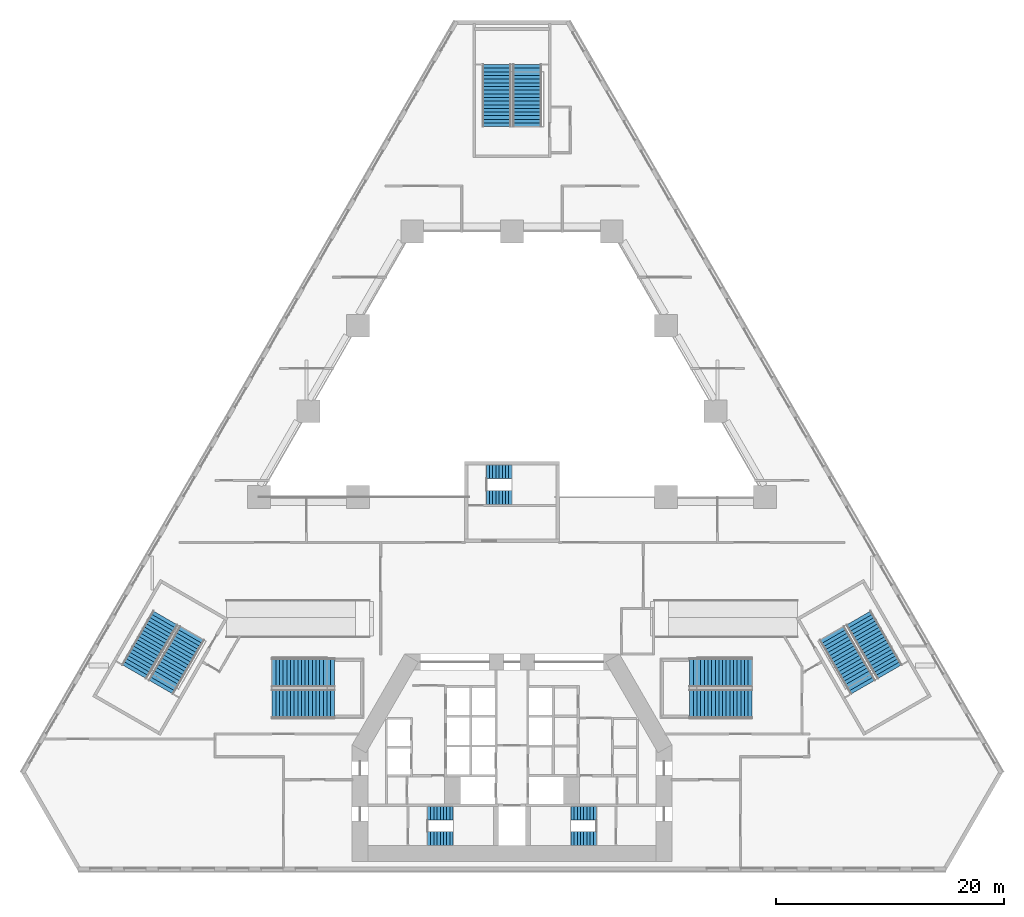
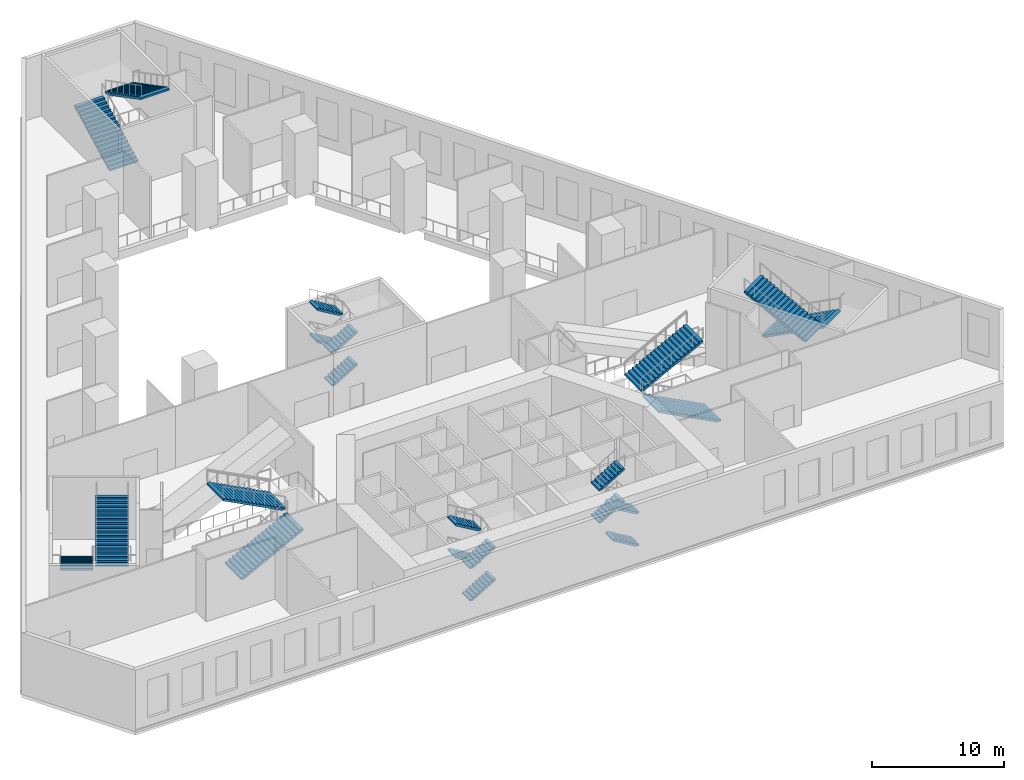
# One storey, part 9 of 16: 22 stair flights, 8 elements without a shape of their own.
"""IFC4 building model written with IfcOpenShell, lengths in metres."""

from ifc_helpers import new_model, si_unit, direction, frame, origin, place, context, subcontext, project, spatial, polyline, outline, extrude, material, type_object, element, aggregate, save


model = new_model("IFC4")

# Units and contexts
model_context = context("Model", 3, precision=1e-05, world=origin(), true_north=direction((0.0, 1.0)))
body_context = subcontext(model_context, "Body", "Model", "MODEL_VIEW")
ifc_project = project(units=[si_unit("LENGTHUNIT", "METRE"), si_unit("AREAUNIT", "SQUARE_METRE"), si_unit("VOLUMEUNIT", "CUBIC_METRE"), si_unit("PLANEANGLEUNIT", "RADIAN"), si_unit("MASSUNIT", "GRAM", prefix="KILO")], contexts=[model_context])

# Site, building, storey
site_placement = place(None, origin())
site = spatial("IfcSite", under=ifc_project, at=site_placement, CompositionType="ELEMENT")
building_placement = place(site_placement, origin())
building = spatial("IfcBuilding", under=site, at=building_placement, Name="Fogline Exchange Tower", CompositionType="ELEMENT")
storey_placement = place(building_placement, frame((0.0, 0.0, 14.0)))
storey = spatial("IfcBuildingStorey", under=building, at=storey_placement, Name="L02", CompositionType="ELEMENT", Elevation=14.0)

# Stair, stair flights
ifc_material = material(Name="Concrete C40", Category="concrete")
stair_type_1 = type_object("IfcStairType", Name="PSF0-36-1667", PredefinedType="HALF_TURN_STAIR", material=ifc_material)
stair_1_placement = place(storey_placement, origin())
stair_1 = element("IfcStair", 1, at=stair_1_placement, inside=storey, type_object=stair_type_1, Name="Stair ST4", PredefinedType="HALF_TURN_STAIR")
stair_flight_type_1 = type_object("IfcStairFlightType", Name="PSF1-18-1667", PredefinedType="STRAIGHT", material=ifc_material)
stair_flight_1_placement = place(storey_placement, frame((-30.3642578125, 22.1669921875, 0.0), z_axis=(0.0, 0.0, 1.0), x_axis=(-0.49997940255, -0.866037295401, 0.0)))
stair_flight_1 = element("IfcStairFlight", 2, at=stair_flight_1_placement, type_object=stair_flight_type_1, Name="ST4 flight 1", NumberOfRisers=18, NumberOfTreads=17, PredefinedType="STRAIGHT", RiserHeight=0.166666667, TreadLength=0.32, context=body_context, shape_type="SweptSolid", body=[
    extrude(outline(polyline([(0.0, 0.0), (0.0, 0.166748046875), (0.320068359375, 0.166748046875), (0.320068359375, 0.333251953125), (0.639892578125, 0.333251953125), (0.639892578125, 0.5), (0.9599609375, 0.5), (0.9599609375, 0.666748046875), (1.280029296875, 0.666748046875), (1.280029296875, 0.833251953125), (1.60009765625, 0.833251953125), (1.60009765625, 1.0), (1.919921875, 1.0), (1.919921875, 1.166748046875), (2.239990234375, 1.166748046875), (2.239990234375, 1.333251953125), (2.56005859375, 1.333251953125), (2.56005859375, 1.5), (2.8798828125, 1.5), (2.8798828125, 1.666748046875), (3.199951171875, 1.666748046875), (3.199951171875, 1.833251953125), (3.52001953125, 1.833251953125), (3.52001953125, 2.0), (3.840087890625, 2.0), (3.840087890625, 2.166748046875), (4.159912109375, 2.166748046875), (4.159912109375, 2.333251953125), (4.47998046875, 2.333251953125), (4.47998046875, 2.5), (4.800048828125, 2.5), (4.800048828125, 2.666748046875), (5.1201171875, 2.666748046875), (5.1201171875, 2.833251953125), (5.43994140625, 2.833251953125), (5.43994140625, 3.0), (5.43994140625, 2.664306640625), (0.324462890625, 0.0), (0.0, 0.0)])), frame((0.0, 1.25, 0.0), z_axis=(0.0, -1.0, 0.0), x_axis=(1.0, 0.0, 0.0)), (0.0, 0.0, 1.0), 2.5),
])
stair_flight_2_placement = place(storey_placement, frame((-30.745849609375, 16.105712890625, 3.0), z_axis=(0.0, 0.0, 1.0), x_axis=(0.49997940255, 0.866037295401, 0.0)))
stair_flight_2 = element("IfcStairFlight", 3, at=stair_flight_2_placement, type_object=stair_flight_type_1, Name="ST4 flight 2", NumberOfRisers=18, NumberOfTreads=17, PredefinedType="STRAIGHT", RiserHeight=0.166666667, TreadLength=0.32, context=body_context, shape_type="SweptSolid", body=[
    extrude(outline(polyline([(0.0, 0.0), (0.0, 0.166748046875), (0.320068359375, 0.166748046875), (0.320068359375, 0.333251953125), (0.639892578125, 0.333251953125), (0.639892578125, 0.5), (0.9599609375, 0.5), (0.9599609375, 0.666748046875), (1.280029296875, 0.666748046875), (1.280029296875, 0.833251953125), (1.60009765625, 0.833251953125), (1.60009765625, 1.0), (1.919921875, 1.0), (1.919921875, 1.166748046875), (2.239990234375, 1.166748046875), (2.239990234375, 1.333251953125), (2.56005859375, 1.333251953125), (2.56005859375, 1.5), (2.8798828125, 1.5), (2.8798828125, 1.666748046875), (3.199951171875, 1.666748046875), (3.199951171875, 1.833251953125), (3.52001953125, 1.833251953125), (3.52001953125, 2.0), (3.840087890625, 2.0), (3.840087890625, 2.166748046875), (4.159912109375, 2.166748046875), (4.159912109375, 2.333251953125), (4.47998046875, 2.333251953125), (4.47998046875, 2.5), (4.800048828125, 2.5), (4.800048828125, 2.666748046875), (5.1201171875, 2.666748046875), (5.1201171875, 2.833251953125), (5.43994140625, 2.833251953125), (5.43994140625, 3.0), (5.43994140625, 2.664306640625), (0.324462890625, 0.0), (0.0, 0.0)])), frame((0.0, 1.25, 0.0), z_axis=(0.0, -1.0, 0.0), x_axis=(1.0, 0.0, 0.0)), (0.0, 0.0, 1.0), 2.5),
])
aggregate(stair_1, [stair_flight_1, stair_flight_2])

stair_2_placement = place(storey_placement, origin())
stair_2 = element("IfcStair", 4, at=stair_2_placement, inside=storey, type_object=stair_type_1, Name="Stair ST5", PredefinedType="HALF_TURN_STAIR")
stair_flight_3_placement = place(storey_placement, frame((30.3642578125, 22.1669921875, 0.0), z_axis=(0.0, 0.0, 1.0), x_axis=(0.49997940255, -0.866037295401, 0.0)))
stair_flight_3 = element("IfcStairFlight", 5, at=stair_flight_3_placement, type_object=stair_flight_type_1, Name="ST5 flight 1", NumberOfRisers=18, NumberOfTreads=17, PredefinedType="STRAIGHT", RiserHeight=0.166666667, TreadLength=0.32, context=body_context, shape_type="SweptSolid", body=[
    extrude(outline(polyline([(0.0, 0.0), (0.0, 0.166748046875), (0.320068359375, 0.166748046875), (0.320068359375, 0.333251953125), (0.639892578125, 0.333251953125), (0.639892578125, 0.5), (0.9599609375, 0.5), (0.9599609375, 0.666748046875), (1.280029296875, 0.666748046875), (1.280029296875, 0.833251953125), (1.60009765625, 0.833251953125), (1.60009765625, 1.0), (1.919921875, 1.0), (1.919921875, 1.166748046875), (2.239990234375, 1.166748046875), (2.239990234375, 1.333251953125), (2.56005859375, 1.333251953125), (2.56005859375, 1.5), (2.8798828125, 1.5), (2.8798828125, 1.666748046875), (3.199951171875, 1.666748046875), (3.199951171875, 1.833251953125), (3.52001953125, 1.833251953125), (3.52001953125, 2.0), (3.840087890625, 2.0), (3.840087890625, 2.166748046875), (4.159912109375, 2.166748046875), (4.159912109375, 2.333251953125), (4.47998046875, 2.333251953125), (4.47998046875, 2.5), (4.800048828125, 2.5), (4.800048828125, 2.666748046875), (5.1201171875, 2.666748046875), (5.1201171875, 2.833251953125), (5.43994140625, 2.833251953125), (5.43994140625, 3.0), (5.43994140625, 2.664306640625), (0.324462890625, 0.0), (0.0, 0.0)])), frame((0.0, 1.25, 0.0), z_axis=(0.0, -1.0, 0.0), x_axis=(1.0, 0.0, 0.0)), (0.0, 0.0, 1.0), 2.5),
])
stair_flight_4_placement = place(storey_placement, frame((30.745849609375, 16.105712890625, 3.0), z_axis=(0.0, 0.0, 1.0), x_axis=(-0.49997940255, 0.866037295401, 0.0)))
stair_flight_4 = element("IfcStairFlight", 6, at=stair_flight_4_placement, type_object=stair_flight_type_1, Name="ST5 flight 2", NumberOfRisers=18, NumberOfTreads=17, PredefinedType="STRAIGHT", RiserHeight=0.166666667, TreadLength=0.32, context=body_context, shape_type="SweptSolid", body=[
    extrude(outline(polyline([(0.0, 0.0), (0.0, 0.166748046875), (0.320068359375, 0.166748046875), (0.320068359375, 0.333251953125), (0.639892578125, 0.333251953125), (0.639892578125, 0.5), (0.9599609375, 0.5), (0.9599609375, 0.666748046875), (1.280029296875, 0.666748046875), (1.280029296875, 0.833251953125), (1.60009765625, 0.833251953125), (1.60009765625, 1.0), (1.919921875, 1.0), (1.919921875, 1.166748046875), (2.239990234375, 1.166748046875), (2.239990234375, 1.333251953125), (2.56005859375, 1.333251953125), (2.56005859375, 1.5), (2.8798828125, 1.5), (2.8798828125, 1.666748046875), (3.199951171875, 1.666748046875), (3.199951171875, 1.833251953125), (3.52001953125, 1.833251953125), (3.52001953125, 2.0), (3.840087890625, 2.0), (3.840087890625, 2.166748046875), (4.159912109375, 2.166748046875), (4.159912109375, 2.333251953125), (4.47998046875, 2.333251953125), (4.47998046875, 2.5), (4.800048828125, 2.5), (4.800048828125, 2.666748046875), (5.1201171875, 2.666748046875), (5.1201171875, 2.833251953125), (5.43994140625, 2.833251953125), (5.43994140625, 3.0), (5.43994140625, 2.664306640625), (0.324462890625, 0.0), (0.0, 0.0)])), frame((0.0, 1.25, 0.0), z_axis=(0.0, -1.0, 0.0), x_axis=(1.0, 0.0, 0.0)), (0.0, 0.0, 1.0), 2.5),
])
aggregate(stair_2, [stair_flight_3, stair_flight_4])

stair_3_placement = place(storey_placement, origin())
stair_3 = element("IfcStair", 7, at=stair_3_placement, inside=storey, type_object=stair_type_1, Name="Stair ST6", PredefinedType="HALF_TURN_STAIR")
stair_flight_5_placement = place(storey_placement, frame((-1.35009765625, 65.18505859375, 0.0), z_axis=(0.0, 0.0, 1.0), x_axis=(0.0, 1.0, 0.0)))
stair_flight_5 = element("IfcStairFlight", 8, at=stair_flight_5_placement, type_object=stair_flight_type_1, Name="ST6 flight 1", NumberOfRisers=18, NumberOfTreads=17, PredefinedType="STRAIGHT", RiserHeight=0.166666667, TreadLength=0.32, context=body_context, shape_type="SweptSolid", body=[
    extrude(outline(polyline([(0.0, 0.0), (0.0, 0.166748046875), (0.320068359375, 0.166748046875), (0.320068359375, 0.333251953125), (0.639892578125, 0.333251953125), (0.639892578125, 0.5), (0.9599609375, 0.5), (0.9599609375, 0.666748046875), (1.280029296875, 0.666748046875), (1.280029296875, 0.833251953125), (1.60009765625, 0.833251953125), (1.60009765625, 1.0), (1.919921875, 1.0), (1.919921875, 1.166748046875), (2.239990234375, 1.166748046875), (2.239990234375, 1.333251953125), (2.56005859375, 1.333251953125), (2.56005859375, 1.5), (2.8798828125, 1.5), (2.8798828125, 1.666748046875), (3.199951171875, 1.666748046875), (3.199951171875, 1.833251953125), (3.52001953125, 1.833251953125), (3.52001953125, 2.0), (3.840087890625, 2.0), (3.840087890625, 2.166748046875), (4.159912109375, 2.166748046875), (4.159912109375, 2.333251953125), (4.47998046875, 2.333251953125), (4.47998046875, 2.5), (4.800048828125, 2.5), (4.800048828125, 2.666748046875), (5.1201171875, 2.666748046875), (5.1201171875, 2.833251953125), (5.43994140625, 2.833251953125), (5.43994140625, 3.0), (5.43994140625, 2.664306640625), (0.324462890625, 0.0), (0.0, 0.0)])), frame((0.0, 1.25, 0.0), z_axis=(0.0, -1.0, 0.0), x_axis=(1.0, 0.0, 0.0)), (0.0, 0.0, 1.0), 2.5),
])
stair_flight_6_placement = place(storey_placement, frame((1.35009765625, 70.625, 3.0), z_axis=(0.0, 0.0, 1.0), x_axis=(0.0, -1.0, 0.0)))
stair_flight_6 = element("IfcStairFlight", 9, at=stair_flight_6_placement, type_object=stair_flight_type_1, Name="ST6 flight 2", NumberOfRisers=18, NumberOfTreads=17, PredefinedType="STRAIGHT", RiserHeight=0.166666667, TreadLength=0.32, context=body_context, shape_type="SweptSolid", body=[
    extrude(outline(polyline([(0.0, 0.0), (0.0, 0.166748046875), (0.320068359375, 0.166748046875), (0.320068359375, 0.333251953125), (0.639892578125, 0.333251953125), (0.639892578125, 0.5), (0.9599609375, 0.5), (0.9599609375, 0.666748046875), (1.280029296875, 0.666748046875), (1.280029296875, 0.833251953125), (1.60009765625, 0.833251953125), (1.60009765625, 1.0), (1.919921875, 1.0), (1.919921875, 1.166748046875), (2.239990234375, 1.166748046875), (2.239990234375, 1.333251953125), (2.56005859375, 1.333251953125), (2.56005859375, 1.5), (2.8798828125, 1.5), (2.8798828125, 1.666748046875), (3.199951171875, 1.666748046875), (3.199951171875, 1.833251953125), (3.52001953125, 1.833251953125), (3.52001953125, 2.0), (3.840087890625, 2.0), (3.840087890625, 2.166748046875), (4.159912109375, 2.166748046875), (4.159912109375, 2.333251953125), (4.47998046875, 2.333251953125), (4.47998046875, 2.5), (4.800048828125, 2.5), (4.800048828125, 2.666748046875), (5.1201171875, 2.666748046875), (5.1201171875, 2.833251953125), (5.43994140625, 2.833251953125), (5.43994140625, 3.0), (5.43994140625, 2.664306640625), (0.324462890625, 0.0), (0.0, 0.0)])), frame((0.0, 1.25, 0.0), z_axis=(0.0, -1.0, 0.0), x_axis=(1.0, 0.0, 0.0)), (0.0, 0.0, 1.0), 2.5),
])
aggregate(stair_3, [stair_flight_5, stair_flight_6])

stair_4_placement = place(storey_placement, origin())
stair_4 = element("IfcStair", 10, at=stair_4_placement, inside=storey, type_object=stair_type_1, Name="Public stair PS1", PredefinedType="HALF_TURN_STAIR")
stair_flight_7_placement = place(storey_placement, frame((-21.0, 14.64990234375, 0.0), z_axis=(0.0, 0.0, 1.0), x_axis=(1.0, 0.0, 0.0)))
stair_flight_7 = element("IfcStairFlight", 11, at=stair_flight_7_placement, type_object=stair_flight_type_1, Name="PS1 flight 1", NumberOfRisers=18, NumberOfTreads=17, PredefinedType="STRAIGHT", RiserHeight=0.166666667, TreadLength=0.32, context=body_context, shape_type="SweptSolid", body=[
    extrude(outline(polyline([(0.0, 0.0), (0.0, 0.166748046875), (0.320068359375, 0.166748046875), (0.320068359375, 0.333251953125), (0.639892578125, 0.333251953125), (0.639892578125, 0.5), (0.9599609375, 0.5), (0.9599609375, 0.666748046875), (1.280029296875, 0.666748046875), (1.280029296875, 0.833251953125), (1.60009765625, 0.833251953125), (1.60009765625, 1.0), (1.919921875, 1.0), (1.919921875, 1.166748046875), (2.239990234375, 1.166748046875), (2.239990234375, 1.333251953125), (2.56005859375, 1.333251953125), (2.56005859375, 1.5), (2.8798828125, 1.5), (2.8798828125, 1.666748046875), (3.199951171875, 1.666748046875), (3.199951171875, 1.833251953125), (3.52001953125, 1.833251953125), (3.52001953125, 2.0), (3.840087890625, 2.0), (3.840087890625, 2.166748046875), (4.159912109375, 2.166748046875), (4.159912109375, 2.333251953125), (4.47998046875, 2.333251953125), (4.47998046875, 2.5), (4.800048828125, 2.5), (4.800048828125, 2.666748046875), (5.1201171875, 2.666748046875), (5.1201171875, 2.833251953125), (5.43994140625, 2.833251953125), (5.43994140625, 3.0), (5.43994140625, 2.664306640625), (0.324462890625, 0.0), (0.0, 0.0)])), frame((0.0, 1.25, 0.0), z_axis=(0.0, -1.0, 0.0), x_axis=(1.0, 0.0, 0.0)), (0.0, 0.0, 1.0), 2.5),
])
stair_flight_8_placement = place(storey_placement, frame((-15.56005859375, 17.35009765625, 3.0), z_axis=(0.0, 0.0, 1.0), x_axis=(-1.0, 0.0, 0.0)))
stair_flight_8 = element("IfcStairFlight", 12, at=stair_flight_8_placement, type_object=stair_flight_type_1, Name="PS1 flight 2", NumberOfRisers=18, NumberOfTreads=17, PredefinedType="STRAIGHT", RiserHeight=0.166666667, TreadLength=0.32, context=body_context, shape_type="SweptSolid", body=[
    extrude(outline(polyline([(0.0, 0.0), (0.0, 0.166748046875), (0.320068359375, 0.166748046875), (0.320068359375, 0.333251953125), (0.639892578125, 0.333251953125), (0.639892578125, 0.5), (0.9599609375, 0.5), (0.9599609375, 0.666748046875), (1.280029296875, 0.666748046875), (1.280029296875, 0.833251953125), (1.60009765625, 0.833251953125), (1.60009765625, 1.0), (1.919921875, 1.0), (1.919921875, 1.166748046875), (2.239990234375, 1.166748046875), (2.239990234375, 1.333251953125), (2.56005859375, 1.333251953125), (2.56005859375, 1.5), (2.8798828125, 1.5), (2.8798828125, 1.666748046875), (3.199951171875, 1.666748046875), (3.199951171875, 1.833251953125), (3.52001953125, 1.833251953125), (3.52001953125, 2.0), (3.840087890625, 2.0), (3.840087890625, 2.166748046875), (4.159912109375, 2.166748046875), (4.159912109375, 2.333251953125), (4.47998046875, 2.333251953125), (4.47998046875, 2.5), (4.800048828125, 2.5), (4.800048828125, 2.666748046875), (5.1201171875, 2.666748046875), (5.1201171875, 2.833251953125), (5.43994140625, 2.833251953125), (5.43994140625, 3.0), (5.43994140625, 2.664306640625), (0.324462890625, 0.0), (0.0, 0.0)])), frame((0.0, 1.25, 0.0), z_axis=(0.0, -1.0, 0.0), x_axis=(1.0, 0.0, 0.0)), (0.0, 0.0, 1.0), 2.5),
])
aggregate(stair_4, [stair_flight_7, stair_flight_8])

stair_5_placement = place(storey_placement, origin())
stair_5 = element("IfcStair", 13, at=stair_5_placement, inside=storey, type_object=stair_type_1, Name="Public stair PS2", PredefinedType="HALF_TURN_STAIR")
stair_flight_9_placement = place(storey_placement, frame((21.0, 14.64990234375, 0.0), z_axis=(0.0, 0.0, 1.0), x_axis=(-1.0, 0.0, 0.0)))
stair_flight_9 = element("IfcStairFlight", 14, at=stair_flight_9_placement, type_object=stair_flight_type_1, Name="PS2 flight 1", NumberOfRisers=18, NumberOfTreads=17, PredefinedType="STRAIGHT", RiserHeight=0.166666667, TreadLength=0.32, context=body_context, shape_type="SweptSolid", body=[
    extrude(outline(polyline([(0.0, 0.0), (0.0, 0.166748046875), (0.320068359375, 0.166748046875), (0.320068359375, 0.333251953125), (0.639892578125, 0.333251953125), (0.639892578125, 0.5), (0.9599609375, 0.5), (0.9599609375, 0.666748046875), (1.280029296875, 0.666748046875), (1.280029296875, 0.833251953125), (1.60009765625, 0.833251953125), (1.60009765625, 1.0), (1.919921875, 1.0), (1.919921875, 1.166748046875), (2.239990234375, 1.166748046875), (2.239990234375, 1.333251953125), (2.56005859375, 1.333251953125), (2.56005859375, 1.5), (2.8798828125, 1.5), (2.8798828125, 1.666748046875), (3.199951171875, 1.666748046875), (3.199951171875, 1.833251953125), (3.52001953125, 1.833251953125), (3.52001953125, 2.0), (3.840087890625, 2.0), (3.840087890625, 2.166748046875), (4.159912109375, 2.166748046875), (4.159912109375, 2.333251953125), (4.47998046875, 2.333251953125), (4.47998046875, 2.5), (4.800048828125, 2.5), (4.800048828125, 2.666748046875), (5.1201171875, 2.666748046875), (5.1201171875, 2.833251953125), (5.43994140625, 2.833251953125), (5.43994140625, 3.0), (5.43994140625, 2.664306640625), (0.324462890625, 0.0), (0.0, 0.0)])), frame((0.0, 1.25, 0.0), z_axis=(0.0, -1.0, 0.0), x_axis=(1.0, 0.0, 0.0)), (0.0, 0.0, 1.0), 2.5),
])
stair_flight_10_placement = place(storey_placement, frame((15.56005859375, 17.35009765625, 3.0), z_axis=(0.0, 0.0, 1.0), x_axis=(1.0, 0.0, 0.0)))
stair_flight_10 = element("IfcStairFlight", 15, at=stair_flight_10_placement, type_object=stair_flight_type_1, Name="PS2 flight 2", NumberOfRisers=18, NumberOfTreads=17, PredefinedType="STRAIGHT", RiserHeight=0.166666667, TreadLength=0.32, context=body_context, shape_type="SweptSolid", body=[
    extrude(outline(polyline([(0.0, 0.0), (0.0, 0.166748046875), (0.320068359375, 0.166748046875), (0.320068359375, 0.333251953125), (0.639892578125, 0.333251953125), (0.639892578125, 0.5), (0.9599609375, 0.5), (0.9599609375, 0.666748046875), (1.280029296875, 0.666748046875), (1.280029296875, 0.833251953125), (1.60009765625, 0.833251953125), (1.60009765625, 1.0), (1.919921875, 1.0), (1.919921875, 1.166748046875), (2.239990234375, 1.166748046875), (2.239990234375, 1.333251953125), (2.56005859375, 1.333251953125), (2.56005859375, 1.5), (2.8798828125, 1.5), (2.8798828125, 1.666748046875), (3.199951171875, 1.666748046875), (3.199951171875, 1.833251953125), (3.52001953125, 1.833251953125), (3.52001953125, 2.0), (3.840087890625, 2.0), (3.840087890625, 2.166748046875), (4.159912109375, 2.166748046875), (4.159912109375, 2.333251953125), (4.47998046875, 2.333251953125), (4.47998046875, 2.5), (4.800048828125, 2.5), (4.800048828125, 2.666748046875), (5.1201171875, 2.666748046875), (5.1201171875, 2.833251953125), (5.43994140625, 2.833251953125), (5.43994140625, 3.0), (5.43994140625, 2.664306640625), (0.324462890625, 0.0), (0.0, 0.0)])), frame((0.0, 1.25, 0.0), z_axis=(0.0, -1.0, 0.0), x_axis=(1.0, 0.0, 0.0)), (0.0, 0.0, 1.0), 2.5),
])
aggregate(stair_5, [stair_flight_9, stair_flight_10])

stair_type_2 = type_object("IfcStairType", Name="STR36-1667W1200", PredefinedType="HALF_TURN_STAIR", material=ifc_material)
stair_6_placement = place(storey_placement, origin())
stair_6 = element("IfcStair", 16, at=stair_6_placement, inside=storey, type_object=stair_type_2, Name="Stair ST1", PredefinedType="HALF_TURN_STAIR")
stair_flight_type_2 = type_object("IfcStairFlightType", Name="SF9-1667W1200", PredefinedType="STRAIGHT", material=ifc_material)
stair_flight_11_placement = place(storey_placement, frame((-7.39990234375, 2.85009765625, 0.0), z_axis=(0.0, 0.0, 1.0), x_axis=(1.0, 0.0, 0.0)))
stair_flight_11 = element("IfcStairFlight", 17, at=stair_flight_11_placement, type_object=stair_flight_type_2, Name="ST1 flight 1", NumberOfRisers=9, NumberOfTreads=8, PredefinedType="STRAIGHT", RiserHeight=0.166666667, TreadLength=0.28, context=body_context, shape_type="SweptSolid", body=[
    extrude(outline(polyline([(0.0, 0.0), (0.0, 0.166748046875), (0.280029296875, 0.166748046875), (0.280029296875, 0.333251953125), (0.56005859375, 0.333251953125), (0.56005859375, 0.5), (0.840087890625, 0.5), (0.840087890625, 0.666748046875), (1.1201171875, 0.666748046875), (1.1201171875, 0.833251953125), (1.39990234375, 0.833251953125), (1.39990234375, 1.0), (1.679931640625, 1.0), (1.679931640625, 1.166748046875), (1.9599609375, 1.166748046875), (1.9599609375, 1.333251953125), (2.239990234375, 1.333251953125), (2.239990234375, 1.5), (2.239990234375, 1.158935546875), (0.29296875, 0.0), (0.0, 0.0)])), frame((0.0, 0.60009765625, 0.0), z_axis=(0.0, -1.0, 0.0), x_axis=(1.0, 0.0, 0.0)), (0.0, 0.0, 1.0), 1.199951171875),
])
stair_flight_12_placement = place(storey_placement, frame((-5.159912109375, 5.050048828125, 1.5), z_axis=(0.0, 0.0, 1.0), x_axis=(-1.0, 0.0, 0.0)))
stair_flight_12 = element("IfcStairFlight", 18, at=stair_flight_12_placement, type_object=stair_flight_type_2, Name="ST1 flight 2", NumberOfRisers=9, NumberOfTreads=8, PredefinedType="STRAIGHT", RiserHeight=0.166666667, TreadLength=0.28, context=body_context, shape_type="SweptSolid", body=[
    extrude(outline(polyline([(0.0, 0.0), (0.0, 0.166748046875), (0.280029296875, 0.166748046875), (0.280029296875, 0.333251953125), (0.56005859375, 0.333251953125), (0.56005859375, 0.5), (0.840087890625, 0.5), (0.840087890625, 0.666748046875), (1.1201171875, 0.666748046875), (1.1201171875, 0.833251953125), (1.39990234375, 0.833251953125), (1.39990234375, 1.0), (1.679931640625, 1.0), (1.679931640625, 1.166748046875), (1.9599609375, 1.166748046875), (1.9599609375, 1.333251953125), (2.239990234375, 1.333251953125), (2.239990234375, 1.5), (2.239990234375, 1.158935546875), (0.29296875, 0.0), (0.0, 0.0)])), frame((0.0, 0.60009765625, 0.0), z_axis=(0.0, -1.0, 0.0), x_axis=(1.0, 0.0, 0.0)), (0.0, 0.0, 1.0), 1.199951171875),
])
stair_flight_13_placement = place(storey_placement, frame((-7.39990234375, 2.85009765625, 3.0), z_axis=(0.0, 0.0, 1.0), x_axis=(1.0, 0.0, 0.0)))
stair_flight_13 = element("IfcStairFlight", 19, at=stair_flight_13_placement, type_object=stair_flight_type_2, Name="ST1 flight 3", NumberOfRisers=9, NumberOfTreads=8, PredefinedType="STRAIGHT", RiserHeight=0.166666667, TreadLength=0.28, context=body_context, shape_type="SweptSolid", body=[
    extrude(outline(polyline([(0.0, 0.0), (0.0, 0.166748046875), (0.280029296875, 0.166748046875), (0.280029296875, 0.333251953125), (0.56005859375, 0.333251953125), (0.56005859375, 0.5), (0.840087890625, 0.5), (0.840087890625, 0.666748046875), (1.1201171875, 0.666748046875), (1.1201171875, 0.833251953125), (1.39990234375, 0.833251953125), (1.39990234375, 1.0), (1.679931640625, 1.0), (1.679931640625, 1.166748046875), (1.9599609375, 1.166748046875), (1.9599609375, 1.333251953125), (2.239990234375, 1.333251953125), (2.239990234375, 1.5), (2.239990234375, 1.158935546875), (0.29296875, 0.0), (0.0, 0.0)])), frame((0.0, 0.60009765625, 0.0), z_axis=(0.0, -1.0, 0.0), x_axis=(1.0, 0.0, 0.0)), (0.0, 0.0, 1.0), 1.199951171875),
])
stair_flight_14_placement = place(storey_placement, frame((-5.159912109375, 5.050048828125, 4.5), z_axis=(0.0, 0.0, 1.0), x_axis=(-1.0, 0.0, 0.0)))
stair_flight_14 = element("IfcStairFlight", 20, at=stair_flight_14_placement, type_object=stair_flight_type_2, Name="ST1 flight 4", NumberOfRisers=9, NumberOfTreads=8, PredefinedType="STRAIGHT", RiserHeight=0.166666667, TreadLength=0.28, context=body_context, shape_type="SweptSolid", body=[
    extrude(outline(polyline([(0.0, 0.0), (0.0, 0.166748046875), (0.280029296875, 0.166748046875), (0.280029296875, 0.333251953125), (0.56005859375, 0.333251953125), (0.56005859375, 0.5), (0.840087890625, 0.5), (0.840087890625, 0.666748046875), (1.1201171875, 0.666748046875), (1.1201171875, 0.833251953125), (1.39990234375, 0.833251953125), (1.39990234375, 1.0), (1.679931640625, 1.0), (1.679931640625, 1.166748046875), (1.9599609375, 1.166748046875), (1.9599609375, 1.333251953125), (2.239990234375, 1.333251953125), (2.239990234375, 1.5), (2.239990234375, 1.158935546875), (0.29296875, 0.0), (0.0, 0.0)])), frame((0.0, 0.60009765625, 0.0), z_axis=(0.0, -1.0, 0.0), x_axis=(1.0, 0.0, 0.0)), (0.0, 0.0, 1.0), 1.199951171875),
])
aggregate(stair_6, [stair_flight_11, stair_flight_12, stair_flight_13, stair_flight_14])

stair_7_placement = place(storey_placement, origin())
stair_7 = element("IfcStair", 21, at=stair_7_placement, inside=storey, type_object=stair_type_2, Name="Stair ST2", PredefinedType="HALF_TURN_STAIR")
stair_flight_15_placement = place(storey_placement, frame((7.39990234375, 2.85009765625, 0.0), z_axis=(0.0, 0.0, 1.0), x_axis=(-1.0, 0.0, 0.0)))
stair_flight_15 = element("IfcStairFlight", 22, at=stair_flight_15_placement, type_object=stair_flight_type_2, Name="ST2 flight 1", NumberOfRisers=9, NumberOfTreads=8, PredefinedType="STRAIGHT", RiserHeight=0.166666667, TreadLength=0.28, context=body_context, shape_type="SweptSolid", body=[
    extrude(outline(polyline([(0.0, 0.0), (0.0, 0.166748046875), (0.280029296875, 0.166748046875), (0.280029296875, 0.333251953125), (0.56005859375, 0.333251953125), (0.56005859375, 0.5), (0.840087890625, 0.5), (0.840087890625, 0.666748046875), (1.1201171875, 0.666748046875), (1.1201171875, 0.833251953125), (1.39990234375, 0.833251953125), (1.39990234375, 1.0), (1.679931640625, 1.0), (1.679931640625, 1.166748046875), (1.9599609375, 1.166748046875), (1.9599609375, 1.333251953125), (2.239990234375, 1.333251953125), (2.239990234375, 1.5), (2.239990234375, 1.158935546875), (0.29296875, 0.0), (0.0, 0.0)])), frame((0.0, 0.60009765625, 0.0), z_axis=(0.0, -1.0, 0.0), x_axis=(1.0, 0.0, 0.0)), (0.0, 0.0, 1.0), 1.199951171875),
])
stair_flight_16_placement = place(storey_placement, frame((5.159912109375, 5.050048828125, 1.5), z_axis=(0.0, 0.0, 1.0), x_axis=(1.0, 0.0, 0.0)))
stair_flight_16 = element("IfcStairFlight", 23, at=stair_flight_16_placement, type_object=stair_flight_type_2, Name="ST2 flight 2", NumberOfRisers=9, NumberOfTreads=8, PredefinedType="STRAIGHT", RiserHeight=0.166666667, TreadLength=0.28, context=body_context, shape_type="SweptSolid", body=[
    extrude(outline(polyline([(0.0, 0.0), (0.0, 0.166748046875), (0.280029296875, 0.166748046875), (0.280029296875, 0.333251953125), (0.56005859375, 0.333251953125), (0.56005859375, 0.5), (0.840087890625, 0.5), (0.840087890625, 0.666748046875), (1.1201171875, 0.666748046875), (1.1201171875, 0.833251953125), (1.39990234375, 0.833251953125), (1.39990234375, 1.0), (1.679931640625, 1.0), (1.679931640625, 1.166748046875), (1.9599609375, 1.166748046875), (1.9599609375, 1.333251953125), (2.239990234375, 1.333251953125), (2.239990234375, 1.5), (2.239990234375, 1.158935546875), (0.29296875, 0.0), (0.0, 0.0)])), frame((0.0, 0.60009765625, 0.0), z_axis=(0.0, -1.0, 0.0), x_axis=(1.0, 0.0, 0.0)), (0.0, 0.0, 1.0), 1.199951171875),
])
stair_flight_17_placement = place(storey_placement, frame((7.39990234375, 2.85009765625, 3.0), z_axis=(0.0, 0.0, 1.0), x_axis=(-1.0, 0.0, 0.0)))
stair_flight_17 = element("IfcStairFlight", 24, at=stair_flight_17_placement, type_object=stair_flight_type_2, Name="ST2 flight 3", NumberOfRisers=9, NumberOfTreads=8, PredefinedType="STRAIGHT", RiserHeight=0.166666667, TreadLength=0.28, context=body_context, shape_type="SweptSolid", body=[
    extrude(outline(polyline([(0.0, 0.0), (0.0, 0.166748046875), (0.280029296875, 0.166748046875), (0.280029296875, 0.333251953125), (0.56005859375, 0.333251953125), (0.56005859375, 0.5), (0.840087890625, 0.5), (0.840087890625, 0.666748046875), (1.1201171875, 0.666748046875), (1.1201171875, 0.833251953125), (1.39990234375, 0.833251953125), (1.39990234375, 1.0), (1.679931640625, 1.0), (1.679931640625, 1.166748046875), (1.9599609375, 1.166748046875), (1.9599609375, 1.333251953125), (2.239990234375, 1.333251953125), (2.239990234375, 1.5), (2.239990234375, 1.158935546875), (0.29296875, 0.0), (0.0, 0.0)])), frame((0.0, 0.60009765625, 0.0), z_axis=(0.0, -1.0, 0.0), x_axis=(1.0, 0.0, 0.0)), (0.0, 0.0, 1.0), 1.199951171875),
])
stair_flight_18_placement = place(storey_placement, frame((5.159912109375, 5.050048828125, 4.5), z_axis=(0.0, 0.0, 1.0), x_axis=(1.0, 0.0, 0.0)))
stair_flight_18 = element("IfcStairFlight", 25, at=stair_flight_18_placement, type_object=stair_flight_type_2, Name="ST2 flight 4", NumberOfRisers=9, NumberOfTreads=8, PredefinedType="STRAIGHT", RiserHeight=0.166666667, TreadLength=0.28, context=body_context, shape_type="SweptSolid", body=[
    extrude(outline(polyline([(0.0, 0.0), (0.0, 0.166748046875), (0.280029296875, 0.166748046875), (0.280029296875, 0.333251953125), (0.56005859375, 0.333251953125), (0.56005859375, 0.5), (0.840087890625, 0.5), (0.840087890625, 0.666748046875), (1.1201171875, 0.666748046875), (1.1201171875, 0.833251953125), (1.39990234375, 0.833251953125), (1.39990234375, 1.0), (1.679931640625, 1.0), (1.679931640625, 1.166748046875), (1.9599609375, 1.166748046875), (1.9599609375, 1.333251953125), (2.239990234375, 1.333251953125), (2.239990234375, 1.5), (2.239990234375, 1.158935546875), (0.29296875, 0.0), (0.0, 0.0)])), frame((0.0, 0.60009765625, 0.0), z_axis=(0.0, -1.0, 0.0), x_axis=(1.0, 0.0, 0.0)), (0.0, 0.0, 1.0), 1.199951171875),
])
aggregate(stair_7, [stair_flight_15, stair_flight_16, stair_flight_17, stair_flight_18])

stair_8_placement = place(storey_placement, origin())
stair_8 = element("IfcStair", 26, at=stair_8_placement, inside=storey, type_object=stair_type_2, Name="Stair ST3", PredefinedType="HALF_TURN_STAIR")
stair_flight_19_placement = place(storey_placement, frame((-2.25, 32.70703125, 0.0), z_axis=(0.0, 0.0, 1.0), x_axis=(1.0, 0.0, 0.0)))
stair_flight_19 = element("IfcStairFlight", 27, at=stair_flight_19_placement, type_object=stair_flight_type_2, Name="ST3 flight 1", NumberOfRisers=9, NumberOfTreads=8, PredefinedType="STRAIGHT", RiserHeight=0.166666667, TreadLength=0.28, context=body_context, shape_type="SweptSolid", body=[
    extrude(outline(polyline([(0.0, 0.0), (0.0, 0.166748046875), (0.280029296875, 0.166748046875), (0.280029296875, 0.333251953125), (0.56005859375, 0.333251953125), (0.56005859375, 0.5), (0.840087890625, 0.5), (0.840087890625, 0.666748046875), (1.1201171875, 0.666748046875), (1.1201171875, 0.833251953125), (1.39990234375, 0.833251953125), (1.39990234375, 1.0), (1.679931640625, 1.0), (1.679931640625, 1.166748046875), (1.9599609375, 1.166748046875), (1.9599609375, 1.333251953125), (2.239990234375, 1.333251953125), (2.239990234375, 1.5), (2.239990234375, 1.158935546875), (0.29296875, 0.0), (0.0, 0.0)])), frame((0.0, 0.60009765625, 0.0), z_axis=(0.0, -1.0, 0.0), x_axis=(1.0, 0.0, 0.0)), (0.0, 0.0, 1.0), 1.199951171875),
])
stair_flight_20_placement = place(storey_placement, frame((-0.010009765625, 34.95703125, 1.5), z_axis=(0.0, 0.0, 1.0), x_axis=(-1.0, 0.0, 0.0)))
stair_flight_20 = element("IfcStairFlight", 28, at=stair_flight_20_placement, type_object=stair_flight_type_2, Name="ST3 flight 2", NumberOfRisers=9, NumberOfTreads=8, PredefinedType="STRAIGHT", RiserHeight=0.166666667, TreadLength=0.28, context=body_context, shape_type="SweptSolid", body=[
    extrude(outline(polyline([(0.0, 0.0), (0.0, 0.166748046875), (0.280029296875, 0.166748046875), (0.280029296875, 0.333251953125), (0.56005859375, 0.333251953125), (0.56005859375, 0.5), (0.840087890625, 0.5), (0.840087890625, 0.666748046875), (1.1201171875, 0.666748046875), (1.1201171875, 0.833251953125), (1.39990234375, 0.833251953125), (1.39990234375, 1.0), (1.679931640625, 1.0), (1.679931640625, 1.166748046875), (1.9599609375, 1.166748046875), (1.9599609375, 1.333251953125), (2.239990234375, 1.333251953125), (2.239990234375, 1.5), (2.239990234375, 1.158935546875), (0.29296875, 0.0), (0.0, 0.0)])), frame((0.0, 0.60009765625, 0.0), z_axis=(0.0, -1.0, 0.0), x_axis=(1.0, 0.0, 0.0)), (0.0, 0.0, 1.0), 1.199951171875),
])
stair_flight_21_placement = place(storey_placement, frame((-2.25, 32.70703125, 3.0), z_axis=(0.0, 0.0, 1.0), x_axis=(1.0, 0.0, 0.0)))
stair_flight_21 = element("IfcStairFlight", 29, at=stair_flight_21_placement, type_object=stair_flight_type_2, Name="ST3 flight 3", NumberOfRisers=9, NumberOfTreads=8, PredefinedType="STRAIGHT", RiserHeight=0.166666667, TreadLength=0.28, context=body_context, shape_type="SweptSolid", body=[
    extrude(outline(polyline([(0.0, 0.0), (0.0, 0.166748046875), (0.280029296875, 0.166748046875), (0.280029296875, 0.333251953125), (0.56005859375, 0.333251953125), (0.56005859375, 0.5), (0.840087890625, 0.5), (0.840087890625, 0.666748046875), (1.1201171875, 0.666748046875), (1.1201171875, 0.833251953125), (1.39990234375, 0.833251953125), (1.39990234375, 1.0), (1.679931640625, 1.0), (1.679931640625, 1.166748046875), (1.9599609375, 1.166748046875), (1.9599609375, 1.333251953125), (2.239990234375, 1.333251953125), (2.239990234375, 1.5), (2.239990234375, 1.158935546875), (0.29296875, 0.0), (0.0, 0.0)])), frame((0.0, 0.60009765625, 0.0), z_axis=(0.0, -1.0, 0.0), x_axis=(1.0, 0.0, 0.0)), (0.0, 0.0, 1.0), 1.199951171875),
])
stair_flight_22_placement = place(storey_placement, frame((-0.010009765625, 34.95703125, 4.5), z_axis=(0.0, 0.0, 1.0), x_axis=(-1.0, 0.0, 0.0)))
stair_flight_22 = element("IfcStairFlight", 30, at=stair_flight_22_placement, type_object=stair_flight_type_2, Name="ST3 flight 4", NumberOfRisers=9, NumberOfTreads=8, PredefinedType="STRAIGHT", RiserHeight=0.166666667, TreadLength=0.28, context=body_context, shape_type="SweptSolid", body=[
    extrude(outline(polyline([(0.0, 0.0), (0.0, 0.166748046875), (0.280029296875, 0.166748046875), (0.280029296875, 0.333251953125), (0.56005859375, 0.333251953125), (0.56005859375, 0.5), (0.840087890625, 0.5), (0.840087890625, 0.666748046875), (1.1201171875, 0.666748046875), (1.1201171875, 0.833251953125), (1.39990234375, 0.833251953125), (1.39990234375, 1.0), (1.679931640625, 1.0), (1.679931640625, 1.166748046875), (1.9599609375, 1.166748046875), (1.9599609375, 1.333251953125), (2.239990234375, 1.333251953125), (2.239990234375, 1.5), (2.239990234375, 1.158935546875), (0.29296875, 0.0), (0.0, 0.0)])), frame((0.0, 0.60009765625, 0.0), z_axis=(0.0, -1.0, 0.0), x_axis=(1.0, 0.0, 0.0)), (0.0, 0.0, 1.0), 1.199951171875),
])
aggregate(stair_8, [stair_flight_19, stair_flight_20, stair_flight_21, stair_flight_22])

save(model, "model.ifc")
